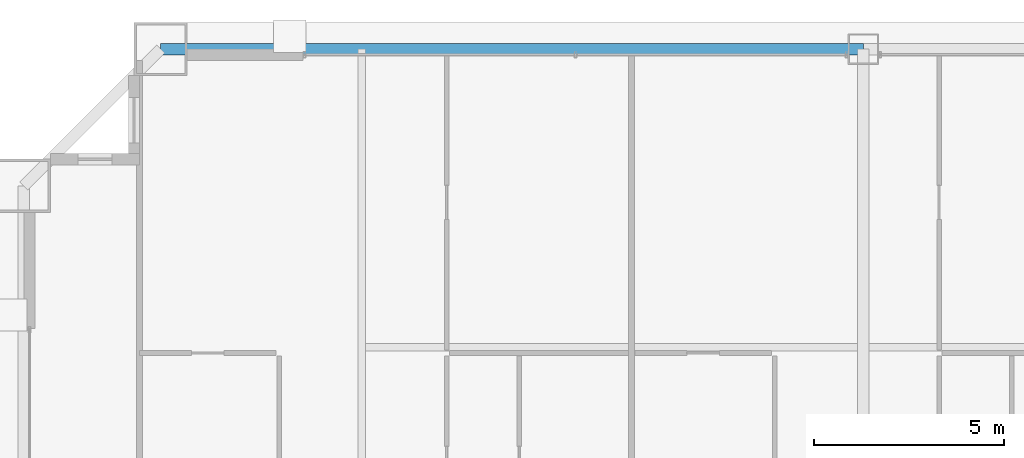
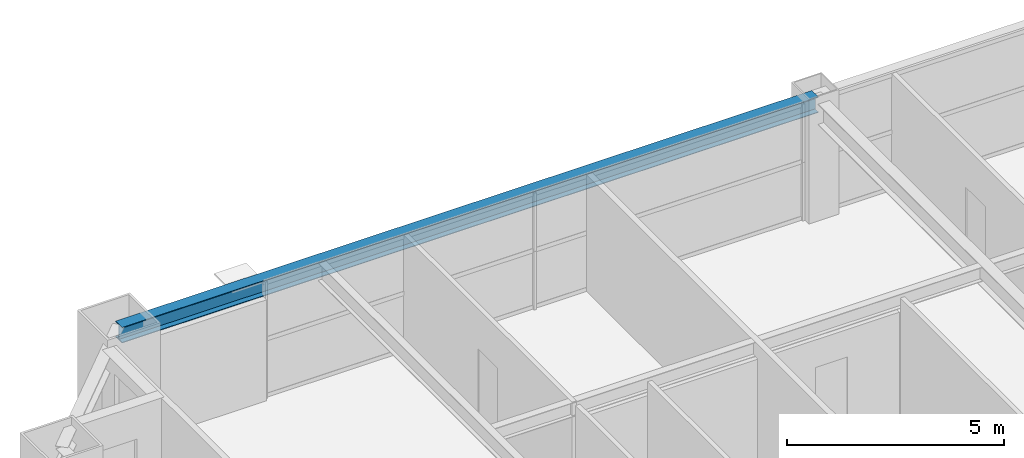
# One storey, part 26 of 38: 1 beam.
"""IFC4 building model written with IfcOpenShell, lengths in metres."""

from ifc_helpers import new_model, si_unit, direction, frame, origin, origin_2d, place, context, subcontext, project, spatial, i_section, extrude, source, transform, mapped, material, material_profile, profile_set, type_object, element, save


model = new_model("IFC4")

# Units and contexts
model_context = context("Model", 3, precision=1e-05, world=origin(), true_north=direction((0.0, 1.0)))
body_context = subcontext(model_context, "Body", "Model", "MODEL_VIEW")
ifc_project = project(units=[si_unit("LENGTHUNIT", "METRE"), si_unit("AREAUNIT", "SQUARE_METRE"), si_unit("VOLUMEUNIT", "CUBIC_METRE"), si_unit("PLANEANGLEUNIT", "RADIAN"), si_unit("MASSUNIT", "GRAM", prefix="KILO"), si_unit("THERMODYNAMICTEMPERATUREUNIT", "KELVIN"), si_unit("POWERUNIT", "WATT")], contexts=[model_context])

# Site, building, storey
site_placement = place(None, origin())
site = spatial("IfcSite", under=ifc_project, at=site_placement, CompositionType="ELEMENT")
building_placement = place(site_placement, origin())
building = spatial("IfcBuilding", under=site, at=building_placement, Name="Yuzanri Waterfront Tower", CompositionType="ELEMENT")
storey_placement = place(building_placement, frame((0.0, 0.0, 202.0)))
storey = spatial("IfcBuildingStorey", under=building, at=storey_placement, Name="L53", CompositionType="ELEMENT", Elevation=202.0)

# Beam
ifc_material = material(Name="Steel Q355B", Category="steel")
ifc_material_profile = material_profile(ifc_material, i_section(OverallWidth=0.300048828125, OverallDepth=0.43994140625, WebThickness=0.010986328125, FlangeThickness=0.01806640625, at=origin_2d()), Name="HM 440x300x11x18")
ifc_profile_set = profile_set([ifc_material_profile], Name="Steel Q355B")
beam_type = type_object("IfcBeamType", Name="Perimeter Spandrel Q355B HM 440x300", PredefinedType="SPANDREL", material=ifc_profile_set)
shared_shape = source(origin(), body_context, "Body", "SweptSolid", [
    extrude(i_section(OverallWidth=0.300048828125, OverallDepth=0.43994140625, WebThickness=0.010986328125, FlangeThickness=0.01806640625, at=origin_2d()), origin(), (0.0, 0.0, 1.0), 18.5),
])
beam_placement = place(storey_placement, frame((37.0, 47.89990234375, 3.06005859375), z_axis=(-1.0, 0.0, 0.0), x_axis=(0.0, -1.0, 0.0)))
element("IfcBeam", 1, at=beam_placement, inside=storey, type_object=beam_type, Name="L53 Perimeter Spandrel N2-N1", PredefinedType="SPANDREL", context=body_context, shape_type="MappedRepresentation", body=[
    mapped(shared_shape, transform((0.0, 0.0, 0.0), scale=1.0)),
])

save(model, "model.ifc")
